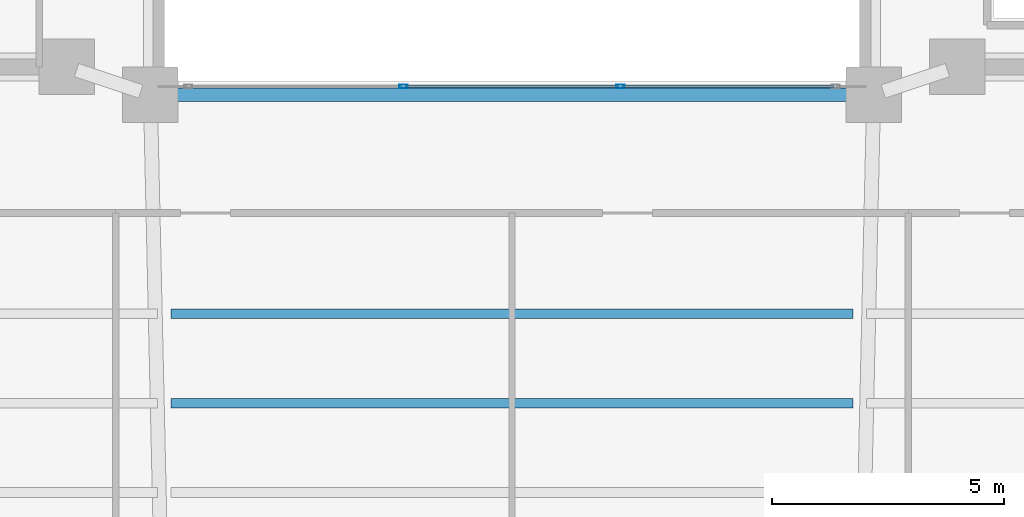
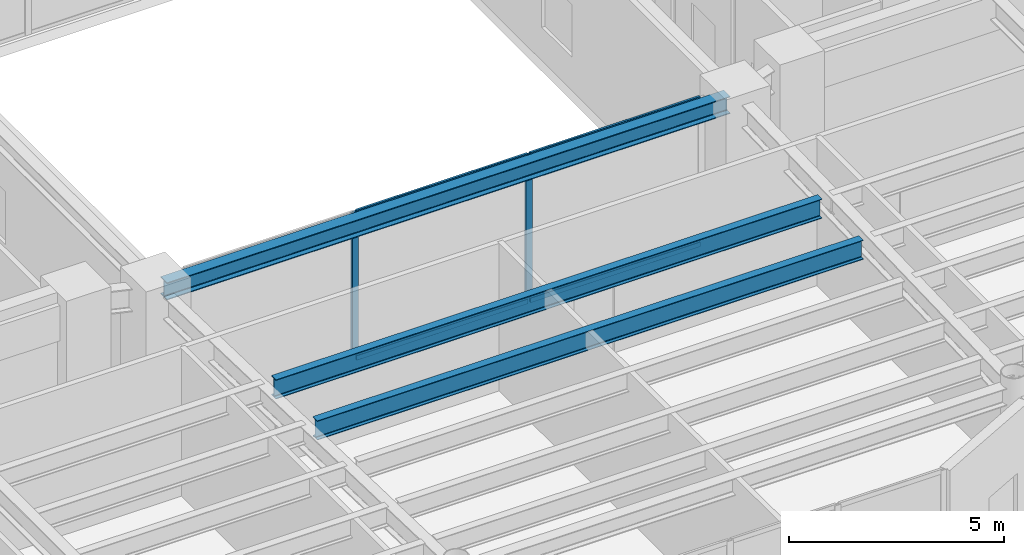
# One storey, part 7 of 38: 6 members, 3 beams, 1 element without a shape of its own.
"""IFC4 building model written with IfcOpenShell, lengths in metres."""

from ifc_helpers import new_model, si_unit, direction, frame, origin, origin_2d, place, context, subcontext, project, spatial, hollow_rectangle, i_section, extrude, material, layer, layer_set, material_profile, profile_set, type_object, element, aggregate, save


model = new_model("IFC4")

# Units and contexts
model_context = context("Model", 3, precision=1e-05, world=origin(), true_north=direction((0.0, 1.0)))
body_context = subcontext(model_context, "Body", "Model", "MODEL_VIEW")
ifc_project = project(units=[si_unit("LENGTHUNIT", "METRE"), si_unit("AREAUNIT", "SQUARE_METRE"), si_unit("VOLUMEUNIT", "CUBIC_METRE"), si_unit("PLANEANGLEUNIT", "RADIAN"), si_unit("MASSUNIT", "GRAM", prefix="KILO")], contexts=[model_context])

# Site, building, storey
site_placement = place(None, origin())
site = spatial("IfcSite", under=ifc_project, at=site_placement, CompositionType="ELEMENT")
building_placement = place(site_placement, origin())
building = spatial("IfcBuilding", under=site, at=building_placement, Name="Tarnavaz Court Tower", CompositionType="ELEMENT")
storey_placement = place(building_placement, frame((0.0, 0.0, 123.0)))
storey = spatial("IfcBuildingStorey", under=building, at=storey_placement, Name="L33", CompositionType="ELEMENT", Elevation=123.0)

# Beams
ifc_material_1 = material(Name="Steel S355", Category="steel")
ifc_material_profile_1 = material_profile(ifc_material_1, i_section(OverallWidth=0.2099609375, OverallDepth=0.550048828125, WebThickness=0.010986328125, FlangeThickness=0.01708984375, FilletRadius=0.02392578125, at=origin_2d()), Name="IPE 550")
ifc_profile_set_1 = profile_set([ifc_material_profile_1], Name="Steel S355")
beam_type_1 = type_object("IfcBeamType", Name="BM-J-IPE550", PredefinedType="JOIST", material=ifc_profile_set_1)
for number, where, z_axis, x_axis, name in (
    (1, (-7.35009765625, -12.52587890625, 3.925048828125), (1.0, 0.0, 0.0), (0.0, 1.0, 0.0), "L33 Beam JS1-2"),
    (2, (-7.35009765625, -14.451904296875, 3.925048828125), (1.0, 0.0, 0.0), (0.0, 1.0, 0.0), "L33 Beam JS2-2"),
):
    element("IfcBeam", number, at=place(storey_placement, frame(where, z_axis=z_axis, x_axis=x_axis)), inside=storey, type_object=beam_type_1, Name=name, PredefinedType="JOIST", context=body_context, shape_type="SweptSolid", body=[
        extrude(i_section(OverallWidth=0.2099609375, OverallDepth=0.550048828125, WebThickness=0.010986328125, FlangeThickness=0.01708984375, FilletRadius=0.02392578125, at=origin_2d()), origin(), (0.0, 0.0, 1.0), 14.7001953125),
    ])
ifc_material_profile_2 = material_profile(ifc_material_1, i_section(OverallWidth=0.300048828125, OverallDepth=0.489990234375, WebThickness=0.011962890625, FlangeThickness=0.02294921875, FilletRadius=0.027099609375, at=origin_2d()), Name="HEA 500")
ifc_profile_set_2 = profile_set([ifc_material_profile_2], Name="Steel S355")
beam_type_2 = type_object("IfcBeamType", Name="BM-SP-HEA500", PredefinedType="SPANDREL", material=ifc_profile_set_2)
beam_placement = place(storey_placement, frame((-7.580078125, -7.800048828125, 3.955078125), z_axis=(1.0, 0.0, 0.0), x_axis=(0.0, 1.0, 0.0)))
element("IfcBeam", 3, at=beam_placement, inside=storey, type_object=beam_type_2, Name="L33 Beam IN-IW-SW-IW-SE", PredefinedType="SPANDREL", context=body_context, shape_type="SweptSolid", body=[
    extrude(i_section(OverallWidth=0.300048828125, OverallDepth=0.489990234375, WebThickness=0.011962890625, FlangeThickness=0.02294921875, FilletRadius=0.027099609375, at=origin_2d()), origin(), (0.0, 0.0, 1.0), 15.16015625),
])

# Curtain wall, members
ifc_material_2 = material(Name="Anodised Aluminium 6063-T6 and Solar Low-E Glazing", Category="aluminium")
ifc_layer = layer(ifc_material_2, 0.139892578125)
ifc_layer_set = layer_set([ifc_layer], Name="Anodised Aluminium 6063-T6 and Solar Low-E Glazing")
curtain_wall_type = type_object("IfcCurtainWallType", Name="CW-SYS-04", PredefinedType="NOTDEFINED", material=ifc_layer_set)
curtain_wall_placement = place(storey_placement, origin())
curtain_wall = element("IfcCurtainWall", 4, at=curtain_wall_placement, inside=storey, type_object=curtain_wall_type, Name="L33 Badgir Courtyard Curtain Wall S", PredefinedType="NOTDEFINED")
ifc_material_3 = material(Name="Anodised Aluminium 6063-T6", Category="aluminium")
ifc_material_profile_3 = material_profile(ifc_material_3, hollow_rectangle(XDim=0.074951171875, YDim=0.179931640625, WallThickness=0.0048828125, InnerFilletRadius=0.0048828125, OuterFilletRadius=0.010009765625, at=origin_2d()), Name="ALU RHS 180X75X5")
ifc_profile_set_3 = profile_set([ifc_material_profile_3], Name="Anodised Aluminium 6063-T6")
member_type_1 = type_object("IfcMemberType", Name="CW-MUL-180", PredefinedType="MULLION", material=ifc_profile_set_3)
member_1_placement = place(storey_placement, frame((-2.340087890625, -7.6201171875, 0.0), z_axis=(0.0, 0.0, 1.0), x_axis=(0.0, 1.0, 0.0)))
member_1 = element("IfcMember", 5, at=member_1_placement, type_object=member_type_1, Name="CW mullion 2", PredefinedType="MULLION", context=body_context, shape_type="SweptSolid", body=[
    extrude(hollow_rectangle(XDim=0.074951171875, YDim=0.179931640625, WallThickness=0.0048828125, InnerFilletRadius=0.0048828125, OuterFilletRadius=0.010009765625, at=origin_2d()), origin(), (0.0, 0.0, 1.0), 4.199951171875),
])
member_2_placement = place(storey_placement, frame((2.340087890625, -7.6201171875, 0.0), z_axis=(0.0, 0.0, 1.0), x_axis=(0.0, 1.0, 0.0)))
member_2 = element("IfcMember", 6, at=member_2_placement, type_object=member_type_1, Name="CW mullion 3", PredefinedType="MULLION", context=body_context, shape_type="SweptSolid", body=[
    extrude(hollow_rectangle(XDim=0.074951171875, YDim=0.179931640625, WallThickness=0.0048828125, InnerFilletRadius=0.0048828125, OuterFilletRadius=0.010009765625, at=origin_2d()), origin(), (0.0, 0.0, 1.0), 4.199951171875),
])
ifc_material_profile_4 = material_profile(ifc_material_3, hollow_rectangle(XDim=0.06494140625, YDim=0.139892578125, WallThickness=0.00390625, InnerFilletRadius=0.00390625, OuterFilletRadius=0.008056640625, at=origin_2d()), Name="ALU RHS 140X65X4")
ifc_profile_set_4 = profile_set([ifc_material_profile_4], Name="Anodised Aluminium 6063-T6")
member_type_2 = type_object("IfcMemberType", Name="CW-TRN-140", PredefinedType="USERDEFINED", material=ifc_profile_set_4)
member_3_placement = place(storey_placement, frame((-2.302490234375, -7.6201171875, 0.032470703125), z_axis=(1.0, 0.0, 0.0), x_axis=(0.0, 1.0, 0.0)))
member_3 = element("IfcMember", 7, at=member_3_placement, type_object=member_type_2, Name="CW transom 2.1", ObjectType="TRANSOM", PredefinedType="USERDEFINED", context=body_context, shape_type="SweptSolid", body=[
    extrude(hollow_rectangle(XDim=0.06494140625, YDim=0.139892578125, WallThickness=0.00390625, InnerFilletRadius=0.00390625, OuterFilletRadius=0.008056640625, at=origin_2d()), origin(), (0.0, 0.0, 1.0), 4.60498046875),
])
member_4_placement = place(storey_placement, frame((-2.302490234375, -7.6201171875, 4.16748046875), z_axis=(1.0, 0.0, 0.0), x_axis=(0.0, 1.0, 0.0)))
member_4 = element("IfcMember", 8, at=member_4_placement, type_object=member_type_2, Name="CW transom 2.2", ObjectType="TRANSOM", PredefinedType="USERDEFINED", context=body_context, shape_type="SweptSolid", body=[
    extrude(hollow_rectangle(XDim=0.06494140625, YDim=0.139892578125, WallThickness=0.00390625, InnerFilletRadius=0.00390625, OuterFilletRadius=0.008056640625, at=origin_2d()), origin(), (0.0, 0.0, 1.0), 4.60498046875),
])
member_5_placement = place(storey_placement, frame((2.37744140625, -7.6201171875, 0.032470703125), z_axis=(1.0, 0.0, 0.0), x_axis=(0.0, 1.0, 0.0)))
member_5 = element("IfcMember", 9, at=member_5_placement, type_object=member_type_2, Name="CW transom 3.1", ObjectType="TRANSOM", PredefinedType="USERDEFINED", context=body_context, shape_type="SweptSolid", body=[
    extrude(hollow_rectangle(XDim=0.06494140625, YDim=0.139892578125, WallThickness=0.00390625, InnerFilletRadius=0.00390625, OuterFilletRadius=0.008056640625, at=origin_2d()), origin(), (0.0, 0.0, 1.0), 4.567626953125),
])
member_6_placement = place(storey_placement, frame((2.37744140625, -7.6201171875, 4.16748046875), z_axis=(1.0, 0.0, 0.0), x_axis=(0.0, 1.0, 0.0)))
member_6 = element("IfcMember", 10, at=member_6_placement, type_object=member_type_2, Name="CW transom 3.2", ObjectType="TRANSOM", PredefinedType="USERDEFINED", context=body_context, shape_type="SweptSolid", body=[
    extrude(hollow_rectangle(XDim=0.06494140625, YDim=0.139892578125, WallThickness=0.00390625, InnerFilletRadius=0.00390625, OuterFilletRadius=0.008056640625, at=origin_2d()), origin(), (0.0, 0.0, 1.0), 4.567626953125),
])
aggregate(curtain_wall, [member_1, member_2, member_3, member_4, member_5, member_6])

save(model, "model.ifc")
